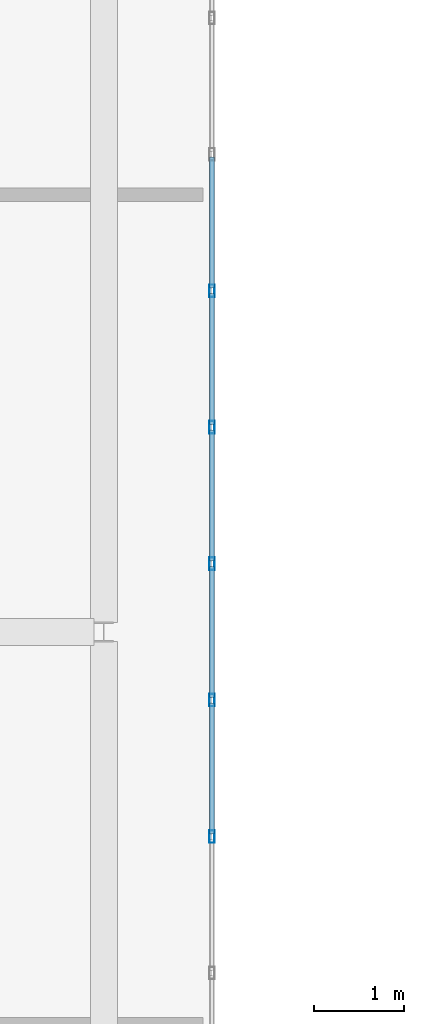
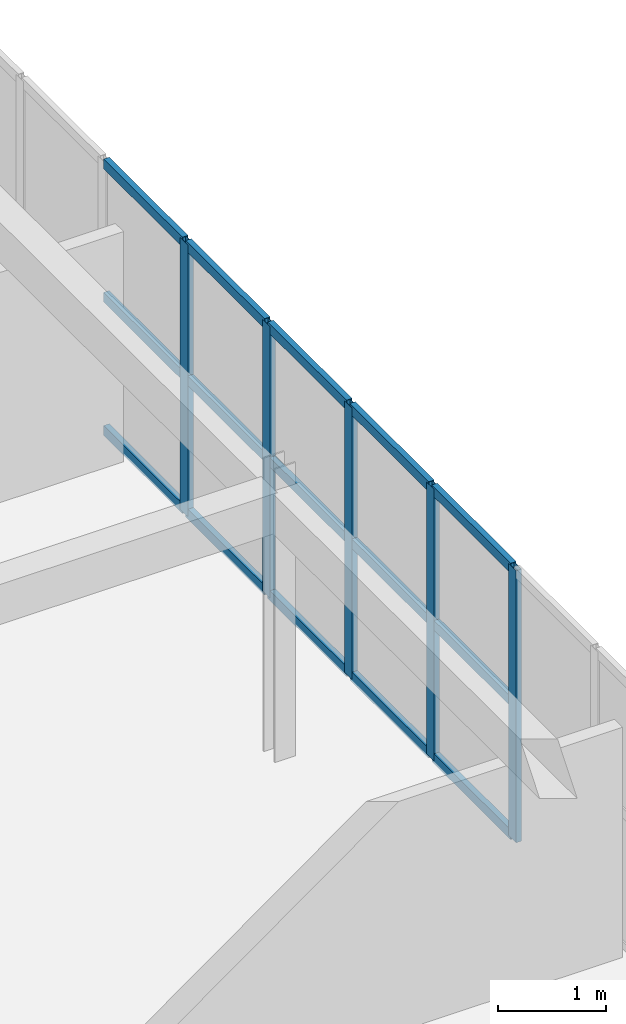
# One storey, part 77 of 200: 20 members, 1 element without a shape of its own.
"""IFC4 building model written with IfcOpenShell, lengths in metres."""

from ifc_helpers import new_model, si_unit, direction, frame, origin, origin_2d, place, context, subcontext, project, spatial, hollow_rectangle, extrude, material, layer, layer_set, material_profile, profile_set, type_object, element, aggregate, save


model = new_model("IFC4")

# Units and contexts
model_context = context("Model", 3, precision=1e-05, world=origin(), true_north=direction((0.0, 1.0)))
body_context = subcontext(model_context, "Body", "Model", "MODEL_VIEW")
ifc_project = project(units=[si_unit("LENGTHUNIT", "METRE"), si_unit("AREAUNIT", "SQUARE_METRE"), si_unit("VOLUMEUNIT", "CUBIC_METRE"), si_unit("PLANEANGLEUNIT", "RADIAN"), si_unit("MASSUNIT", "GRAM", prefix="KILO")], contexts=[model_context])

# Site, building, storey
site_placement = place(None, origin())
site = spatial("IfcSite", under=ifc_project, at=site_placement, CompositionType="ELEMENT")
building_placement = place(site_placement, origin())
building = spatial("IfcBuilding", under=site, at=building_placement, Name="Trelvath General Hospital", CompositionType="ELEMENT")
storey_placement = place(building_placement, frame((0.0, 0.0, 4.800048828125)))
storey = spatial("IfcBuildingStorey", under=building, at=storey_placement, Name="L01", CompositionType="ELEMENT", Elevation=4.800048828125)

# Curtain wall, members
ifc_material_1 = material(Name="Anodised aluminium and low-E glass", Category="aluminium")
ifc_layer = layer(ifc_material_1, 0.14990234375)
ifc_layer_set = layer_set([ifc_layer], Name="Anodised aluminium and low-E glass")
curtain_wall_type = type_object("IfcCurtainWallType", Name="CW CrystalCube 1664 306 15", PredefinedType="USERDEFINED", material=ifc_layer_set)
curtain_wall_placement = place(storey_placement, origin())
curtain_wall = element("IfcCurtainWall", 1, at=curtain_wall_placement, inside=storey, type_object=curtain_wall_type, Name="Crystal Cube Curtain Wall CUBE-E-T0 E4 L01", ObjectType="Unitised Glazed Curtain Wall", PredefinedType="USERDEFINED")
ifc_material_2 = material(Name="Anodised aluminium", Category="aluminium")
ifc_material_profile_1 = material_profile(ifc_material_2, hollow_rectangle(XDim=0.06005859375, YDim=0.139892578125, WallThickness=0.00390625, at=origin_2d()), Name="RHS60x140x4")
ifc_profile_set_1 = profile_set([ifc_material_profile_1], Name="Anodised aluminium")
member_type_1 = type_object("IfcMemberType", Name="CurtainMullion 60x140", PredefinedType="MULLION", material=ifc_profile_set_1)
member_1_placement = place(storey_placement, frame((121.199951171875, 62.581787109375, 0.0), z_axis=(0.0, 0.0, 1.0), x_axis=(1.0, 0.0, 0.0)))
member_1 = element("IfcMember", 2, at=member_1_placement, type_object=member_type_1, Name="CW-165 mullion 4", PredefinedType="MULLION", context=body_context, shape_type="SweptSolid", body=[
    extrude(hollow_rectangle(XDim=0.06005859375, YDim=0.139892578125, WallThickness=0.00390625, at=origin_2d()), origin(), (0.0, 0.0, 1.0), 3.06005859375),
])
member_2_placement = place(storey_placement, frame((121.199951171875, 61.069091796875, 0.0), z_axis=(0.0, 0.0, 1.0), x_axis=(1.0, 0.0, 0.0)))
member_2 = element("IfcMember", 3, at=member_2_placement, type_object=member_type_1, Name="CW-165 mullion 5", PredefinedType="MULLION", context=body_context, shape_type="SweptSolid", body=[
    extrude(hollow_rectangle(XDim=0.06005859375, YDim=0.139892578125, WallThickness=0.00390625, at=origin_2d()), origin(), (0.0, 0.0, 1.0), 3.06005859375),
])
member_3_placement = place(storey_placement, frame((121.199951171875, 59.556396484375, 0.0), z_axis=(0.0, 0.0, 1.0), x_axis=(1.0, 0.0, 0.0)))
member_3 = element("IfcMember", 4, at=member_3_placement, type_object=member_type_1, Name="CW-165 mullion 6", PredefinedType="MULLION", context=body_context, shape_type="SweptSolid", body=[
    extrude(hollow_rectangle(XDim=0.06005859375, YDim=0.139892578125, WallThickness=0.00390625, at=origin_2d()), origin(), (0.0, 0.0, 1.0), 3.06005859375),
])
member_4_placement = place(storey_placement, frame((121.199951171875, 58.043701171875, 0.0), z_axis=(0.0, 0.0, 1.0), x_axis=(1.0, 0.0, 0.0)))
member_4 = element("IfcMember", 5, at=member_4_placement, type_object=member_type_1, Name="CW-165 mullion 7", PredefinedType="MULLION", context=body_context, shape_type="SweptSolid", body=[
    extrude(hollow_rectangle(XDim=0.06005859375, YDim=0.139892578125, WallThickness=0.00390625, at=origin_2d()), origin(), (0.0, 0.0, 1.0), 3.06005859375),
])
member_5_placement = place(storey_placement, frame((121.199951171875, 56.531005859375, 0.0), z_axis=(0.0, 0.0, 1.0), x_axis=(1.0, 0.0, 0.0)))
member_5 = element("IfcMember", 6, at=member_5_placement, type_object=member_type_1, Name="CW-165 mullion 8", PredefinedType="MULLION", context=body_context, shape_type="SweptSolid", body=[
    extrude(hollow_rectangle(XDim=0.06005859375, YDim=0.139892578125, WallThickness=0.00390625, at=origin_2d()), origin(), (0.0, 0.0, 1.0), 3.06005859375),
])
ifc_material_3 = material(Name="Anodised aluminium", Category="aluminium")
ifc_material_profile_2 = material_profile(ifc_material_3, hollow_rectangle(XDim=0.06005859375, YDim=0.110107421875, WallThickness=0.00390625, at=origin_2d()), Name="RHS60x110x4")
ifc_profile_set_2 = profile_set([ifc_material_profile_2], Name="Anodised aluminium")
member_type_2 = type_object("IfcMemberType", Name="CurtainTransom 60x110", PredefinedType="USERDEFINED", material=ifc_profile_set_2)
member_6_placement = place(storey_placement, frame((121.199951171875, 64.064453125, 0.030029296875), z_axis=(0.0, -1.0, 0.0), x_axis=(1.0, 0.0, 0.0)))
member_6 = element("IfcMember", 7, at=member_6_placement, type_object=member_type_2, Name="CW-165 transom 3.1", ObjectType="TRANSOM", PredefinedType="USERDEFINED", context=body_context, shape_type="SweptSolid", body=[
    extrude(hollow_rectangle(XDim=0.06005859375, YDim=0.110107421875, WallThickness=0.00390625, at=origin_2d()), origin(), (0.0, 0.0, 1.0), 1.45263671875),
])
member_7_placement = place(storey_placement, frame((121.199951171875, 64.064453125, 1.530029296875), z_axis=(0.0, -1.0, 0.0), x_axis=(1.0, 0.0, 0.0)))
member_7 = element("IfcMember", 8, at=member_7_placement, type_object=member_type_2, Name="CW-165 transom 3.2", ObjectType="TRANSOM", PredefinedType="USERDEFINED", context=body_context, shape_type="SweptSolid", body=[
    extrude(hollow_rectangle(XDim=0.06005859375, YDim=0.110107421875, WallThickness=0.00390625, at=origin_2d()), origin(), (0.0, 0.0, 1.0), 1.45263671875),
])
member_8_placement = place(storey_placement, frame((121.199951171875, 64.064453125, 3.030029296875), z_axis=(0.0, -1.0, 0.0), x_axis=(1.0, 0.0, 0.0)))
member_8 = element("IfcMember", 9, at=member_8_placement, type_object=member_type_2, Name="CW-165 transom 3.3", ObjectType="TRANSOM", PredefinedType="USERDEFINED", context=body_context, shape_type="SweptSolid", body=[
    extrude(hollow_rectangle(XDim=0.06005859375, YDim=0.110107421875, WallThickness=0.00390625, at=origin_2d()), origin(), (0.0, 0.0, 1.0), 1.45263671875),
])
member_9_placement = place(storey_placement, frame((121.199951171875, 62.5517578125, 0.030029296875), z_axis=(0.0, -1.0, 0.0), x_axis=(1.0, 0.0, 0.0)))
member_9 = element("IfcMember", 10, at=member_9_placement, type_object=member_type_2, Name="CW-165 transom 4.1", ObjectType="TRANSOM", PredefinedType="USERDEFINED", context=body_context, shape_type="SweptSolid", body=[
    extrude(hollow_rectangle(XDim=0.06005859375, YDim=0.110107421875, WallThickness=0.00390625, at=origin_2d()), origin(), (0.0, 0.0, 1.0), 1.45263671875),
])
member_10_placement = place(storey_placement, frame((121.199951171875, 62.5517578125, 1.530029296875), z_axis=(0.0, -1.0, 0.0), x_axis=(1.0, 0.0, 0.0)))
member_10 = element("IfcMember", 11, at=member_10_placement, type_object=member_type_2, Name="CW-165 transom 4.2", ObjectType="TRANSOM", PredefinedType="USERDEFINED", context=body_context, shape_type="SweptSolid", body=[
    extrude(hollow_rectangle(XDim=0.06005859375, YDim=0.110107421875, WallThickness=0.00390625, at=origin_2d()), origin(), (0.0, 0.0, 1.0), 1.45263671875),
])
member_11_placement = place(storey_placement, frame((121.199951171875, 62.5517578125, 3.030029296875), z_axis=(0.0, -1.0, 0.0), x_axis=(1.0, 0.0, 0.0)))
member_11 = element("IfcMember", 12, at=member_11_placement, type_object=member_type_2, Name="CW-165 transom 4.3", ObjectType="TRANSOM", PredefinedType="USERDEFINED", context=body_context, shape_type="SweptSolid", body=[
    extrude(hollow_rectangle(XDim=0.06005859375, YDim=0.110107421875, WallThickness=0.00390625, at=origin_2d()), origin(), (0.0, 0.0, 1.0), 1.45263671875),
])
member_12_placement = place(storey_placement, frame((121.199951171875, 61.0390625, 0.030029296875), z_axis=(0.0, -1.0, 0.0), x_axis=(1.0, 0.0, 0.0)))
member_12 = element("IfcMember", 13, at=member_12_placement, type_object=member_type_2, Name="CW-165 transom 5.1", ObjectType="TRANSOM", PredefinedType="USERDEFINED", context=body_context, shape_type="SweptSolid", body=[
    extrude(hollow_rectangle(XDim=0.06005859375, YDim=0.110107421875, WallThickness=0.00390625, at=origin_2d()), origin(), (0.0, 0.0, 1.0), 1.45263671875),
])
member_13_placement = place(storey_placement, frame((121.199951171875, 61.0390625, 1.530029296875), z_axis=(0.0, -1.0, 0.0), x_axis=(1.0, 0.0, 0.0)))
member_13 = element("IfcMember", 14, at=member_13_placement, type_object=member_type_2, Name="CW-165 transom 5.2", ObjectType="TRANSOM", PredefinedType="USERDEFINED", context=body_context, shape_type="SweptSolid", body=[
    extrude(hollow_rectangle(XDim=0.06005859375, YDim=0.110107421875, WallThickness=0.00390625, at=origin_2d()), origin(), (0.0, 0.0, 1.0), 1.45263671875),
])
member_14_placement = place(storey_placement, frame((121.199951171875, 61.0390625, 3.030029296875), z_axis=(0.0, -1.0, 0.0), x_axis=(1.0, 0.0, 0.0)))
member_14 = element("IfcMember", 15, at=member_14_placement, type_object=member_type_2, Name="CW-165 transom 5.3", ObjectType="TRANSOM", PredefinedType="USERDEFINED", context=body_context, shape_type="SweptSolid", body=[
    extrude(hollow_rectangle(XDim=0.06005859375, YDim=0.110107421875, WallThickness=0.00390625, at=origin_2d()), origin(), (0.0, 0.0, 1.0), 1.45263671875),
])
member_15_placement = place(storey_placement, frame((121.199951171875, 59.5263671875, 0.030029296875), z_axis=(0.0, -1.0, 0.0), x_axis=(1.0, 0.0, 0.0)))
member_15 = element("IfcMember", 16, at=member_15_placement, type_object=member_type_2, Name="CW-165 transom 6.1", ObjectType="TRANSOM", PredefinedType="USERDEFINED", context=body_context, shape_type="SweptSolid", body=[
    extrude(hollow_rectangle(XDim=0.06005859375, YDim=0.110107421875, WallThickness=0.00390625, at=origin_2d()), origin(), (0.0, 0.0, 1.0), 1.45263671875),
])
member_16_placement = place(storey_placement, frame((121.199951171875, 59.5263671875, 1.530029296875), z_axis=(0.0, -1.0, 0.0), x_axis=(1.0, 0.0, 0.0)))
member_16 = element("IfcMember", 17, at=member_16_placement, type_object=member_type_2, Name="CW-165 transom 6.2", ObjectType="TRANSOM", PredefinedType="USERDEFINED", context=body_context, shape_type="SweptSolid", body=[
    extrude(hollow_rectangle(XDim=0.06005859375, YDim=0.110107421875, WallThickness=0.00390625, at=origin_2d()), origin(), (0.0, 0.0, 1.0), 1.45263671875),
])
member_17_placement = place(storey_placement, frame((121.199951171875, 59.5263671875, 3.030029296875), z_axis=(0.0, -1.0, 0.0), x_axis=(1.0, 0.0, 0.0)))
member_17 = element("IfcMember", 18, at=member_17_placement, type_object=member_type_2, Name="CW-165 transom 6.3", ObjectType="TRANSOM", PredefinedType="USERDEFINED", context=body_context, shape_type="SweptSolid", body=[
    extrude(hollow_rectangle(XDim=0.06005859375, YDim=0.110107421875, WallThickness=0.00390625, at=origin_2d()), origin(), (0.0, 0.0, 1.0), 1.45263671875),
])
member_18_placement = place(storey_placement, frame((121.199951171875, 58.013671875, 0.030029296875), z_axis=(0.0, -1.0, 0.0), x_axis=(1.0, 0.0, 0.0)))
member_18 = element("IfcMember", 19, at=member_18_placement, type_object=member_type_2, Name="CW-165 transom 7.1", ObjectType="TRANSOM", PredefinedType="USERDEFINED", context=body_context, shape_type="SweptSolid", body=[
    extrude(hollow_rectangle(XDim=0.06005859375, YDim=0.110107421875, WallThickness=0.00390625, at=origin_2d()), origin(), (0.0, 0.0, 1.0), 1.452880859375),
])
member_19_placement = place(storey_placement, frame((121.199951171875, 58.013671875, 1.530029296875), z_axis=(0.0, -1.0, 0.0), x_axis=(1.0, 0.0, 0.0)))
member_19 = element("IfcMember", 20, at=member_19_placement, type_object=member_type_2, Name="CW-165 transom 7.2", ObjectType="TRANSOM", PredefinedType="USERDEFINED", context=body_context, shape_type="SweptSolid", body=[
    extrude(hollow_rectangle(XDim=0.06005859375, YDim=0.110107421875, WallThickness=0.00390625, at=origin_2d()), origin(), (0.0, 0.0, 1.0), 1.452880859375),
])
member_20_placement = place(storey_placement, frame((121.199951171875, 58.013671875, 3.030029296875), z_axis=(0.0, -1.0, 0.0), x_axis=(1.0, 0.0, 0.0)))
member_20 = element("IfcMember", 21, at=member_20_placement, type_object=member_type_2, Name="CW-165 transom 7.3", ObjectType="TRANSOM", PredefinedType="USERDEFINED", context=body_context, shape_type="SweptSolid", body=[
    extrude(hollow_rectangle(XDim=0.06005859375, YDim=0.110107421875, WallThickness=0.00390625, at=origin_2d()), origin(), (0.0, 0.0, 1.0), 1.452880859375),
])
aggregate(curtain_wall, [member_1, member_2, member_3, member_4, member_5, member_6, member_7, member_8, member_9, member_10, member_11, member_12, member_13, member_14, member_15, member_16, member_17, member_18, member_19, member_20])

save(model, "model.ifc")
